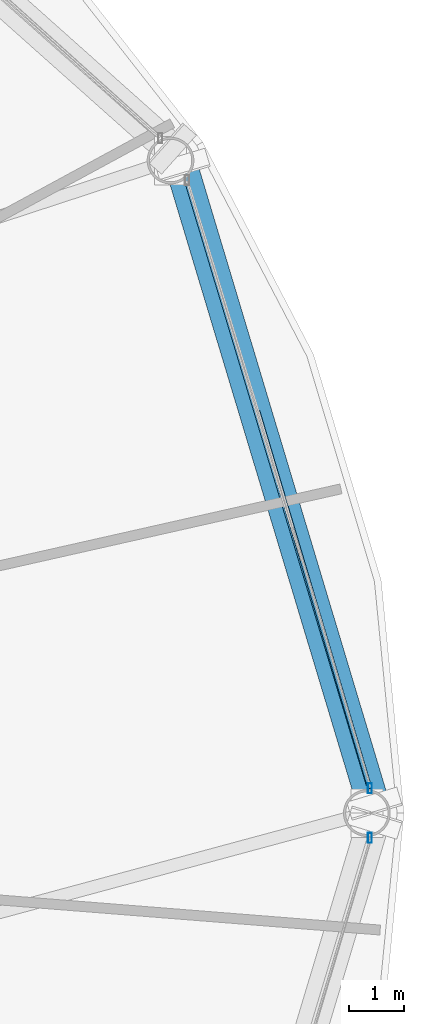
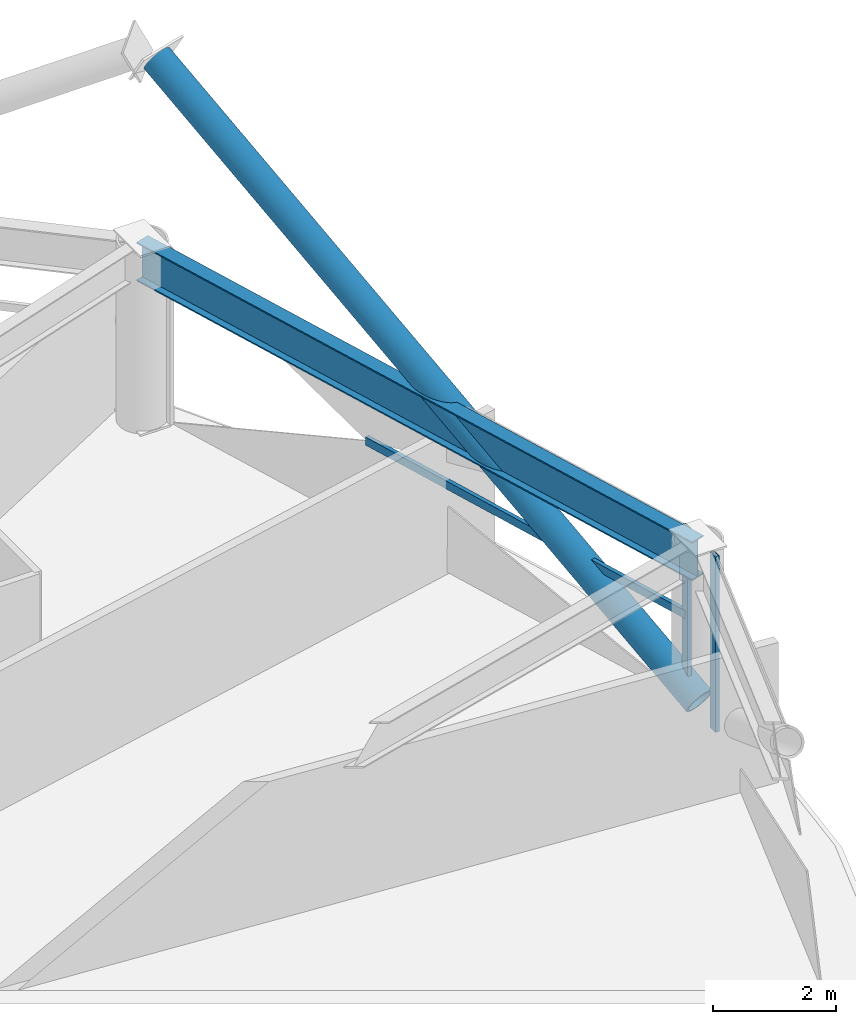
# One storey, part 14 of 31: 4 members, 1 beam, 2 elements without a shape of their own.
"""IFC4 building model written with IfcOpenShell, lengths in metres."""

from ifc_helpers import new_model, si_unit, direction, frame, origin, origin_2d, place, context, subcontext, project, spatial, hollow_rectangle, hollow_circle, i_section, extrude, material, layer, layer_set, material_profile, profile_set, type_object, element, aggregate, save


model = new_model("IFC4")

# Units and contexts
model_context = context("Model", 3, precision=1e-05, world=origin(), true_north=direction((0.0, 1.0)))
body_context = subcontext(model_context, "Body", "Model", "MODEL_VIEW")
ifc_project = project(units=[si_unit("LENGTHUNIT", "METRE"), si_unit("AREAUNIT", "SQUARE_METRE"), si_unit("VOLUMEUNIT", "CUBIC_METRE"), si_unit("PLANEANGLEUNIT", "RADIAN"), si_unit("MASSUNIT", "GRAM", prefix="KILO")], contexts=[model_context])

# Site, building, storey
site_placement = place(None, origin())
site = spatial("IfcSite", under=ifc_project, at=site_placement, CompositionType="ELEMENT")
building_placement = place(site_placement, origin())
building = spatial("IfcBuilding", under=site, at=building_placement, Name="Vantalir Tower", CompositionType="ELEMENT")
storey_placement = place(building_placement, frame((0.0, 0.0, 42.0)))
storey = spatial("IfcBuildingStorey", under=building, at=storey_placement, Name="L09", CompositionType="ELEMENT", Elevation=42.0)

# Beam
ifc_material_1 = material(Name="Steel S460", Category="steel")
ifc_material_profile_1 = material_profile(ifc_material_1, i_section(OverallWidth=0.26806640625, OverallDepth=0.77001953125, WebThickness=0.015625, FlangeThickness=0.025390625, at=origin_2d()), Name="Steel S460")
ifc_profile_set_1 = profile_set([ifc_material_profile_1], Name="Steel S460")
beam_type = type_object("IfcBeamType", Name="BM-RG-762x267", PredefinedType="USERDEFINED", material=ifc_profile_set_1)
beam_placement = place(storey_placement, frame((58.138916015625, 25.0, 3.18505859375), z_axis=(-0.288083666515, 0.957605242826, 0.0), x_axis=(-0.957605242826, -0.288083666515, 0.0)))
element("IfcBeam", 1, at=beam_placement, inside=storey, type_object=beam_type, Name="L09 Circumferential Ring Girder 01", ObjectType="GIRDER", PredefinedType="USERDEFINED", context=body_context, shape_type="SweptSolid", body=[
    extrude(i_section(OverallWidth=0.26806640625, OverallDepth=0.77001953125, WebThickness=0.015625, FlangeThickness=0.025390625, at=origin_2d()), origin(), (0.0, 0.0, 1.0), 12.38818359375),
])

# Curtain wall, member
ifc_material_2 = material(Name="Champagne-silver PVDF aluminium and double-silver Low-E glass", Category="aluminium")
ifc_layer = layer(ifc_material_2, 0.18994140625)
ifc_layer_set = layer_set([ifc_layer], Name="Champagne-silver PVDF aluminium and double-silver Low-E glass")
curtain_wall_type = type_object("IfcCurtainWallType", Name="CW-DIAMOND-Z1", PredefinedType="USERDEFINED", material=ifc_layer_set)
curtain_wall_1_placement = place(storey_placement, origin())
curtain_wall_1 = element("IfcCurtainWall", 2, at=curtain_wall_1_placement, inside=storey, type_object=curtain_wall_type, Name="L09 Quilted Pyramid-Diamond Curtain Wall S01", ObjectType="UNITISED CURTAIN WALL", PredefinedType="USERDEFINED")
ifc_material_3 = material(Name="Champagne-silver PVDF aluminium 6063-T6", Category="aluminium")
ifc_material_profile_2 = material_profile(ifc_material_3, hollow_rectangle(XDim=0.074951171875, YDim=0.179931640625, WallThickness=0.00390625, at=origin_2d()), Name="Champagne-silver PVDF aluminium 6063-T6")
ifc_profile_set_2 = profile_set([ifc_material_profile_2], Name="Champagne-silver PVDF aluminium 6063-T6")
member_type_1 = type_object("IfcMemberType", Name="CWM-180x75", PredefinedType="MULLION", material=ifc_profile_set_2)
member_1_placement = place(storey_placement, frame((58.194091796875, 25.449951171875, 0.044921875), z_axis=(0.0, 0.0, 1.0), x_axis=(1.0, 0.0, 0.0)))
member_1 = element("IfcMember", 3, at=member_1_placement, type_object=member_type_1, Name="CW-L09-S01 Mullion 1", PredefinedType="MULLION", context=body_context, shape_type="SweptSolid", body=[
    extrude(hollow_rectangle(XDim=0.074951171875, YDim=0.179931640625, WallThickness=0.00390625, at=origin_2d()), origin(), (0.0, 0.0, 1.0), 3.47998046875),
])

curtain_wall_2_placement = place(storey_placement, origin())
curtain_wall_2 = element("IfcCurtainWall", 4, at=curtain_wall_2_placement, inside=storey, type_object=curtain_wall_type, Name="L09 Quilted Pyramid-Diamond Curtain Wall S12", ObjectType="UNITISED CURTAIN WALL", PredefinedType="USERDEFINED")
member_2_placement = place(storey_placement, frame((58.194091796875, 24.550048828125, 0.044921875), z_axis=(0.0, 0.0, 1.0), x_axis=(1.0, 0.0, 0.0)))
member_2 = element("IfcMember", 5, at=member_2_placement, type_object=member_type_1, Name="CW-L09-S12 Mullion 2", PredefinedType="MULLION", context=body_context, shape_type="SweptSolid", body=[
    extrude(hollow_rectangle(XDim=0.074951171875, YDim=0.179931640625, WallThickness=0.00390625, at=origin_2d()), origin(), (0.0, 0.0, 1.0), 3.47998046875),
])
aggregate(curtain_wall_2, [member_2])

# Member
ifc_material_profile_3 = material_profile(ifc_material_3, hollow_rectangle(XDim=0.074951171875, YDim=0.159912109375, WallThickness=0.00390625, at=origin_2d()), Name="Champagne-silver PVDF aluminium 6063-T6")
ifc_profile_set_3 = profile_set([ifc_material_profile_3], Name="Champagne-silver PVDF aluminium 6063-T6")
member_type_2 = type_object("IfcMemberType", Name="CWT-160x75", PredefinedType="USERDEFINED", material=ifc_profile_set_3)
member_3_placement = place(storey_placement, frame((58.194091796875, 25.449951171875, 1.784912109375), z_axis=(-0.284678104655, 0.95862316722, 0.0), x_axis=(-0.95862316722, -0.284678104655, 0.0)))
member_3 = element("IfcMember", 6, at=member_3_placement, type_object=member_type_2, Name="CW-L09-S01 Pyramid Fold Ridge Transom", ObjectType="TRANSOM", PredefinedType="USERDEFINED", context=body_context, shape_type="SweptSolid", body=[
    extrude(hollow_rectangle(XDim=0.074951171875, YDim=0.159912109375, WallThickness=0.00390625, at=origin_2d()), origin(), (0.0, 0.0, 1.0), 7.1591796875),
])

aggregate(curtain_wall_1, [member_1, member_3])

ifc_material_profile_4 = material_profile(ifc_material_1, hollow_circle(Radius=0.27001953125, WallThickness=0.044921875, at=origin_2d()), Name="Steel S460")
ifc_profile_set_4 = profile_set([ifc_material_profile_4], Name="Steel S460")
member_type_3 = type_object("IfcMemberType", Name="MEM-DB-540x45", PredefinedType="BRACE", material=ifc_profile_set_4)
member_4_placement = place(storey_placement, frame((58.27392578125, 25.18310546875, 0.18896484375), z_axis=(-0.249678116627, 0.830744006827, 0.497519078225), x_axis=(-0.957681827063, -0.287828973719, 0.0)))
element("IfcMember", 7, at=member_4_placement, inside=storey, type_object=member_type_3, Name="L09 Perimeter S460 Diagrid Brace R01L", PredefinedType="BRACE", context=body_context, shape_type="SweptSolid", body=[
    extrude(hollow_circle(Radius=0.27001953125, WallThickness=0.044921875, at=origin_2d()), origin(), (0.0, 0.0, 1.0), 13.95361328125),
])

save(model, "model.ifc")
